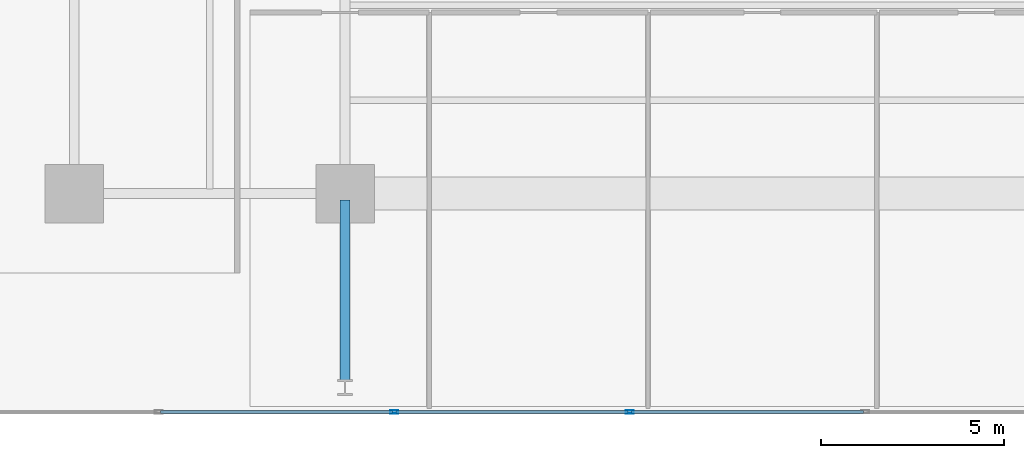
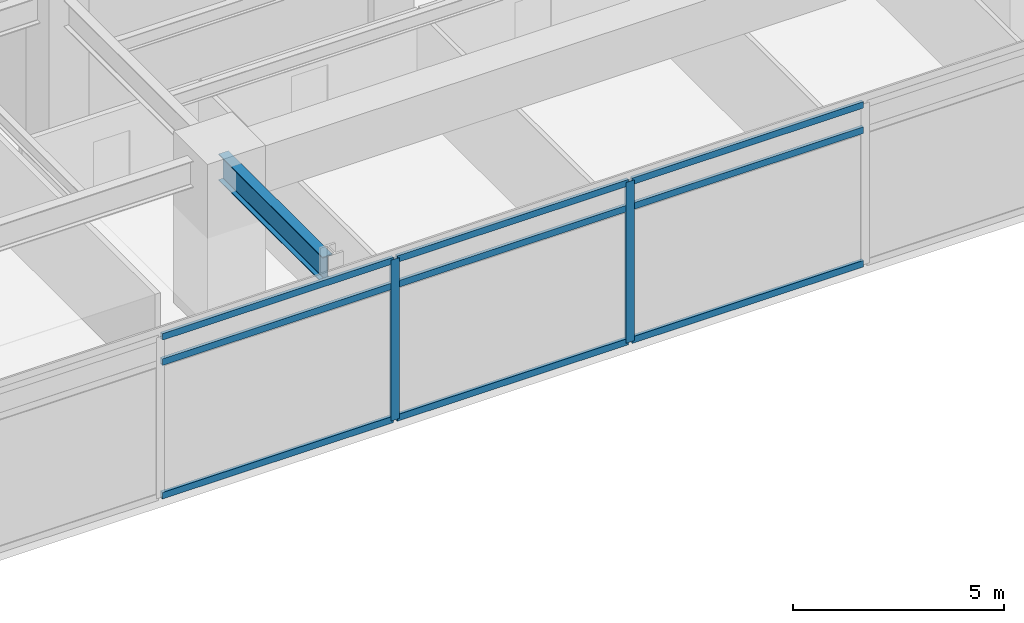
# One storey, part 3 of 24: 11 members, 1 beam, 1 element without a shape of its own.
"""IFC4 building model written with IfcOpenShell, lengths in metres."""

from ifc_helpers import new_model, si_unit, direction, frame, origin, origin_2d, place, context, subcontext, project, spatial, hollow_rectangle, i_section, extrude, material, material_profile, profile_set, type_object, element, aggregate, save


model = new_model("IFC4")

# Units and contexts
model_context = context("Model", 3, precision=1e-05, world=origin(), true_north=direction((0.0, 1.0)))
body_context = subcontext(model_context, "Body", "Model", "MODEL_VIEW")
ifc_project = project(units=[si_unit("LENGTHUNIT", "METRE"), si_unit("AREAUNIT", "SQUARE_METRE"), si_unit("VOLUMEUNIT", "CUBIC_METRE"), si_unit("PLANEANGLEUNIT", "RADIAN"), si_unit("MASSUNIT", "GRAM", prefix="KILO")], contexts=[model_context])

# Site, building, storey
site_placement = place(None, origin())
site = spatial("IfcSite", under=ifc_project, at=site_placement, CompositionType="ELEMENT")
building_placement = place(site_placement, origin())
building = spatial("IfcBuilding", under=site, at=building_placement, Name="Kovane Verandah Tower", CompositionType="ELEMENT")
storey_placement = place(building_placement, frame((0.0, 0.0, 118.39990234375)))
storey = spatial("IfcBuildingStorey", under=building, at=storey_placement, Name="L27", CompositionType="ELEMENT", Elevation=118.39990234375)

# Beam
ifc_material_1 = material(Name="Steel S355", Category="steel")
ifc_material_profile_1 = material_profile(ifc_material_1, i_section(OverallWidth=0.26806640625, OverallDepth=0.769775390625, WebThickness=0.015625, FlangeThickness=0.025390625, FilletRadius=0.0166015625, at=origin_2d()), Name="UB762x267x197")
ifc_profile_set_1 = profile_set([ifc_material_profile_1], Name="Steel S355")
beam_type = type_object("IfcBeamType", Name="BM-UB762x197", PredefinedType="BEAM", material=ifc_profile_set_1)
beam_placement = place(storey_placement, frame((29.0, 10.6201171875, 4.315185546875), z_axis=(0.0, -1.0, 0.0), x_axis=(1.0, 0.0, 0.0)))
element("IfcBeam", 1, at=beam_placement, inside=storey, type_object=beam_type, Name="L27 Primary Tower Girder G-VS1", PredefinedType="BEAM", context=body_context, shape_type="SweptSolid", body=[
    extrude(i_section(OverallWidth=0.26806640625, OverallDepth=0.769775390625, WebThickness=0.015625, FlangeThickness=0.025390625, FilletRadius=0.0166015625, at=origin_2d()), origin(), (0.0, 0.0, 1.0), 4.940185546875),
])

# Curtain wall, members
ifc_material_2 = material(Name="Champagne Anodised Aluminium Frame with Low-E Clear Laminated Glass", Category="aluminium")
curtain_wall_type = type_object("IfcCurtainWallType", Name="CW-SYS-03-MID", PredefinedType="NOTDEFINED", material=ifc_material_2)
curtain_wall_placement = place(storey_placement, origin())
curtain_wall = element("IfcCurtainWall", 2, at=curtain_wall_placement, inside=storey, type_object=curtain_wall_type, Name="L27 S Unitised Curtain Wall", PredefinedType="NOTDEFINED")
ifc_material_3 = material(Name="Champagne Anodised Aluminium 6063-T6", Category="aluminium")
ifc_material_profile_2 = material_profile(ifc_material_3, hollow_rectangle(XDim=0.0849609375, YDim=0.22998046875, WallThickness=0.00390625, at=origin_2d()), Name="AL85x230x4")
ifc_profile_set_2 = profile_set([ifc_material_profile_2], Name="Champagne Anodised Aluminium 6063-T6")
member_type_1 = type_object("IfcMemberType", Name="CW-MUL-85x230", PredefinedType="MULLION", material=ifc_profile_set_2)
member_1_placement = place(storey_placement, frame((30.34423828125, 4.8291015625, 0.02001953125), z_axis=(0.0, 0.0, 1.0), x_axis=(0.0, -1.0, 0.0)))
member_1 = element("IfcMember", 3, at=member_1_placement, type_object=member_type_1, Name="L27 S Unitised Curtain Wall Mullion 3", PredefinedType="MULLION", context=body_context, shape_type="SweptSolid", body=[
    extrude(hollow_rectangle(XDim=0.0849609375, YDim=0.22998046875, WallThickness=0.00390625, at=origin_2d()), origin(), (0.0, 0.0, 1.0), 4.66015625),
])
member_2_placement = place(storey_placement, frame((36.781494140625, 4.8291015625, 0.02001953125), z_axis=(0.0, 0.0, 1.0), x_axis=(0.0, -1.0, 0.0)))
member_2 = element("IfcMember", 4, at=member_2_placement, type_object=member_type_1, Name="L27 S Unitised Curtain Wall Mullion 4", PredefinedType="MULLION", context=body_context, shape_type="SweptSolid", body=[
    extrude(hollow_rectangle(XDim=0.0849609375, YDim=0.22998046875, WallThickness=0.00390625, at=origin_2d()), origin(), (0.0, 0.0, 1.0), 4.66015625),
])
ifc_material_profile_3 = material_profile(ifc_material_3, hollow_rectangle(XDim=0.0849609375, YDim=0.18994140625, WallThickness=0.00390625, at=origin_2d()), Name="AL85x190x4")
ifc_profile_set_3 = profile_set([ifc_material_profile_3], Name="Champagne Anodised Aluminium 6063-T6")
member_type_2 = type_object("IfcMemberType", Name="CW-TRN-85x190", PredefinedType="USERDEFINED", material=ifc_profile_set_3)
member_3_placement = place(storey_placement, frame((23.957275390625, 4.8291015625, 0.050048828125), z_axis=(1.0, 0.0, 0.0), x_axis=(0.0, 1.0, 0.0)))
member_3 = element("IfcMember", 5, at=member_3_placement, type_object=member_type_2, Name="L27 S Unitised Curtain Wall Transom TB Bay 2", ObjectType="TRANSOM", PredefinedType="USERDEFINED", context=body_context, shape_type="SweptSolid", body=[
    extrude(hollow_rectangle(XDim=0.0849609375, YDim=0.18994140625, WallThickness=0.00390625, at=origin_2d()), origin(), (0.0, 0.0, 1.0), 6.3369140625),
])
member_4_placement = place(storey_placement, frame((23.957275390625, 4.8291015625, 3.920166015625), z_axis=(1.0, 0.0, 0.0), x_axis=(0.0, 1.0, 0.0)))
member_4 = element("IfcMember", 6, at=member_4_placement, type_object=member_type_2, Name="L27 S Unitised Curtain Wall Transom TM Bay 2", ObjectType="TRANSOM", PredefinedType="USERDEFINED", context=body_context, shape_type="SweptSolid", body=[
    extrude(hollow_rectangle(XDim=0.0849609375, YDim=0.18994140625, WallThickness=0.00390625, at=origin_2d()), origin(), (0.0, 0.0, 1.0), 6.3369140625),
])
member_5_placement = place(storey_placement, frame((23.957275390625, 4.8291015625, 4.650146484375), z_axis=(1.0, 0.0, 0.0), x_axis=(0.0, 1.0, 0.0)))
member_5 = element("IfcMember", 7, at=member_5_placement, type_object=member_type_2, Name="L27 S Unitised Curtain Wall Transom TT Bay 2", ObjectType="TRANSOM", PredefinedType="USERDEFINED", context=body_context, shape_type="SweptSolid", body=[
    extrude(hollow_rectangle(XDim=0.0849609375, YDim=0.18994140625, WallThickness=0.00390625, at=origin_2d()), origin(), (0.0, 0.0, 1.0), 6.3369140625),
])
member_6_placement = place(storey_placement, frame((30.394287109375, 4.8291015625, 0.050048828125), z_axis=(1.0, 0.0, 0.0), x_axis=(0.0, 1.0, 0.0)))
member_6 = element("IfcMember", 8, at=member_6_placement, type_object=member_type_2, Name="L27 S Unitised Curtain Wall Transom TB Bay 3", ObjectType="TRANSOM", PredefinedType="USERDEFINED", context=body_context, shape_type="SweptSolid", body=[
    extrude(hollow_rectangle(XDim=0.0849609375, YDim=0.18994140625, WallThickness=0.00390625, at=origin_2d()), origin(), (0.0, 0.0, 1.0), 6.337158203125),
])
member_7_placement = place(storey_placement, frame((30.394287109375, 4.8291015625, 3.920166015625), z_axis=(1.0, 0.0, 0.0), x_axis=(0.0, 1.0, 0.0)))
member_7 = element("IfcMember", 9, at=member_7_placement, type_object=member_type_2, Name="L27 S Unitised Curtain Wall Transom TM Bay 3", ObjectType="TRANSOM", PredefinedType="USERDEFINED", context=body_context, shape_type="SweptSolid", body=[
    extrude(hollow_rectangle(XDim=0.0849609375, YDim=0.18994140625, WallThickness=0.00390625, at=origin_2d()), origin(), (0.0, 0.0, 1.0), 6.337158203125),
])
member_8_placement = place(storey_placement, frame((30.394287109375, 4.8291015625, 4.650146484375), z_axis=(1.0, 0.0, 0.0), x_axis=(0.0, 1.0, 0.0)))
member_8 = element("IfcMember", 10, at=member_8_placement, type_object=member_type_2, Name="L27 S Unitised Curtain Wall Transom TT Bay 3", ObjectType="TRANSOM", PredefinedType="USERDEFINED", context=body_context, shape_type="SweptSolid", body=[
    extrude(hollow_rectangle(XDim=0.0849609375, YDim=0.18994140625, WallThickness=0.00390625, at=origin_2d()), origin(), (0.0, 0.0, 1.0), 6.337158203125),
])
member_9_placement = place(storey_placement, frame((36.831298828125, 4.8291015625, 0.050048828125), z_axis=(1.0, 0.0, 0.0), x_axis=(0.0, 1.0, 0.0)))
member_9 = element("IfcMember", 11, at=member_9_placement, type_object=member_type_2, Name="L27 S Unitised Curtain Wall Transom TB Bay 4", ObjectType="TRANSOM", PredefinedType="USERDEFINED", context=body_context, shape_type="SweptSolid", body=[
    extrude(hollow_rectangle(XDim=0.0849609375, YDim=0.18994140625, WallThickness=0.00390625, at=origin_2d()), origin(), (0.0, 0.0, 1.0), 6.33740234375),
])
member_10_placement = place(storey_placement, frame((36.831298828125, 4.8291015625, 3.920166015625), z_axis=(1.0, 0.0, 0.0), x_axis=(0.0, 1.0, 0.0)))
member_10 = element("IfcMember", 12, at=member_10_placement, type_object=member_type_2, Name="L27 S Unitised Curtain Wall Transom TM Bay 4", ObjectType="TRANSOM", PredefinedType="USERDEFINED", context=body_context, shape_type="SweptSolid", body=[
    extrude(hollow_rectangle(XDim=0.0849609375, YDim=0.18994140625, WallThickness=0.00390625, at=origin_2d()), origin(), (0.0, 0.0, 1.0), 6.33740234375),
])
member_11_placement = place(storey_placement, frame((36.831298828125, 4.8291015625, 4.650146484375), z_axis=(1.0, 0.0, 0.0), x_axis=(0.0, 1.0, 0.0)))
member_11 = element("IfcMember", 13, at=member_11_placement, type_object=member_type_2, Name="L27 S Unitised Curtain Wall Transom TT Bay 4", ObjectType="TRANSOM", PredefinedType="USERDEFINED", context=body_context, shape_type="SweptSolid", body=[
    extrude(hollow_rectangle(XDim=0.0849609375, YDim=0.18994140625, WallThickness=0.00390625, at=origin_2d()), origin(), (0.0, 0.0, 1.0), 6.33740234375),
])
aggregate(curtain_wall, [member_1, member_2, member_3, member_4, member_5, member_6, member_7, member_8, member_9, member_10, member_11])

save(model, "model.ifc")
